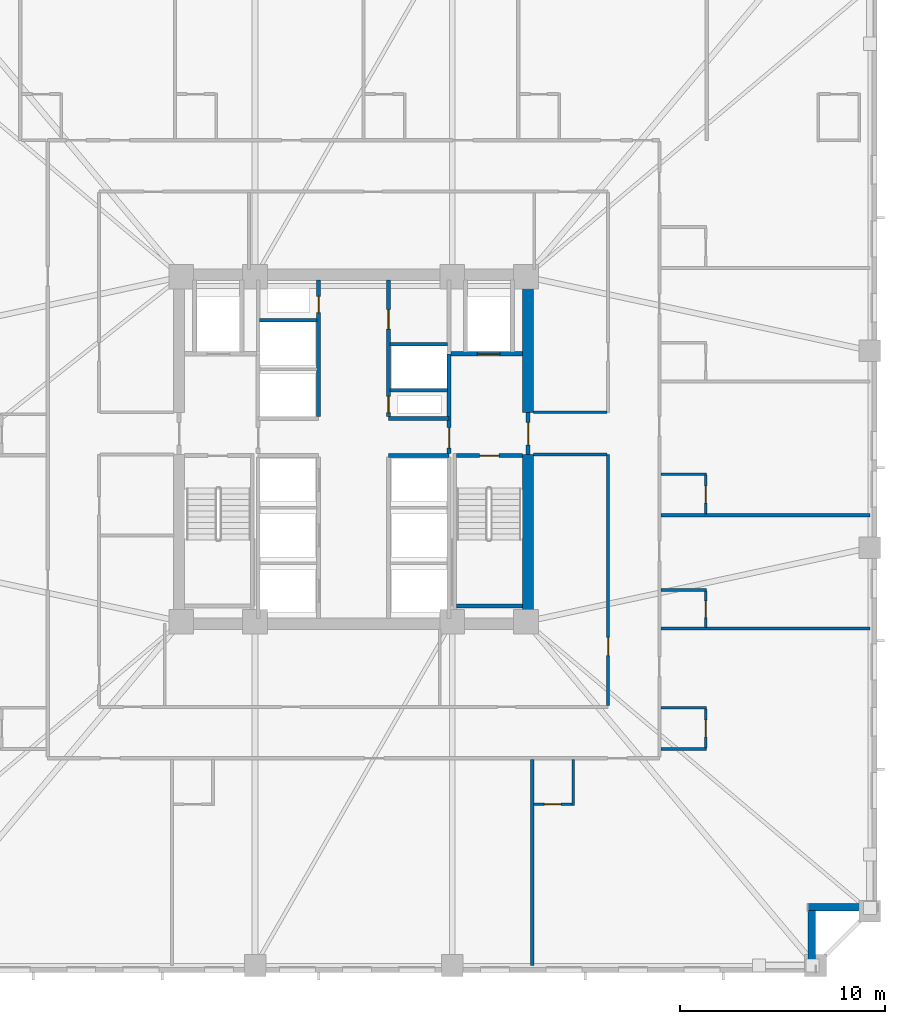
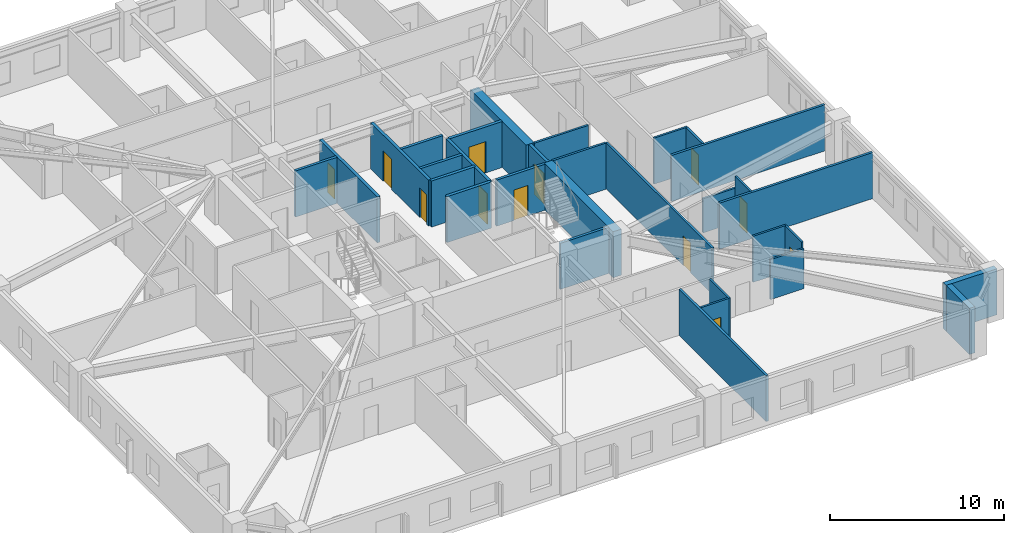
# One storey, part 4 of 11: 31 walls, 12 doors, 12 openings.
"""IFC4 building model written with IfcOpenShell, lengths in metres."""

from ifc_helpers import new_model, si_unit, direction, frame, frame_2d, origin, place, context, subcontext, project, spatial, rectangle, extrude, material, layer, layer_set, type_object, element, fill, save


model = new_model("IFC4")

# Units and contexts
model_context = context("Model", 3, precision=1e-05, world=origin(), true_north=direction((0.0, 1.0)))
body_context = subcontext(model_context, "Body", "Model", "MODEL_VIEW")
ifc_project = project(units=[si_unit("LENGTHUNIT", "METRE"), si_unit("AREAUNIT", "SQUARE_METRE"), si_unit("VOLUMEUNIT", "CUBIC_METRE"), si_unit("PLANEANGLEUNIT", "RADIAN"), si_unit("MASSUNIT", "GRAM", prefix="KILO")], contexts=[model_context])

# Site, building, storey
site_placement = place(None, origin())
site = spatial("IfcSite", under=ifc_project, at=site_placement, CompositionType="ELEMENT")
building_placement = place(site_placement, origin())
building = spatial("IfcBuilding", under=site, at=building_placement, Name="Cairnveth Concourse Tower", CompositionType="ELEMENT")
storey_placement = place(building_placement, frame((0.0, 0.0, 93.5)))
storey = spatial("IfcBuildingStorey", under=building, at=storey_placement, Name="L25", CompositionType="ELEMENT", Elevation=93.5)

# Walls
ifc_material_1 = material(Name="Gypsum Plasterboard Partition", Category="gypsum")
ifc_layer_1 = layer(ifc_material_1, 0.159912109375)
ifc_layer_set_1 = layer_set([ifc_layer_1], Name="Gypsum Plasterboard Partition")
wall_type_1 = type_object("IfcWallType", Name="ACOUSTIC PARTY WALL 180", PredefinedType="PARTITIONING", material=ifc_layer_set_1)
wall_1_placement = place(storey_placement, frame((60.697509765625, 13.844970703125, 0.0), z_axis=(0.0, 0.0, 1.0), x_axis=(0.0, 1.0, 0.0)))
element("IfcWall", 1, at=wall_1_placement, inside=storey, type_object=wall_type_1, Name="Interior Wall IW-L25-063", PredefinedType="PARTITIONING", context=body_context, shape_type="SweptSolid", body=[
    extrude(rectangle(XDim=10.0400390625, YDim=0.159912109375, at=frame_2d((5.02001953125, 0.0))), origin(), (0.0, 0.0, 1.0), 3.239990234375),
])
for number, where, z_axis, x_axis, name in (
    (2, (66.965087890625, 30.262451171875, 0.0), (0.0, 0.0, 1.0), (1.0, 0.0, 0.0), "Interior Wall IW-L25-097"),
    (3, (66.965087890625, 35.78759765625, 0.0), (0.0, 0.0, 1.0), (1.0, 0.0, 0.0), "Interior Wall IW-L25-100"),
):
    element("IfcWall", number, at=place(storey_placement, frame(where, z_axis=z_axis, x_axis=x_axis)), inside=storey, type_object=wall_type_1, Name=name, PredefinedType="PARTITIONING", context=body_context, shape_type="SweptSolid", body=[
        extrude(rectangle(XDim=10.18994140625, YDim=0.159912109375, at=frame_2d((5.094970703125, 0.0))), origin(), (0.0, 0.0, 1.0), 3.239990234375),
    ])
ifc_material_2 = material(Name="Concrete N80 (80 MPa)", Category="concrete")
ifc_layer_2 = layer(ifc_material_2, 0.550048828125)
ifc_layer_set_2 = layer_set([ifc_layer_2], Name="Concrete N80 (80 MPa)")
wall_type_2 = type_object("IfcWallType", Name="CORE SHEAR WALL 550", PredefinedType="SHEAR", material=ifc_layer_set_2)
wall_2_placement = place(storey_placement, frame((60.5, 30.764892578125, 0.0), z_axis=(0.0, 0.0, 1.0), x_axis=(0.0, 1.0, 0.0)))
element("IfcWall", 4, at=wall_2_placement, inside=storey, type_object=wall_type_2, Name="Core East Shear Wall S L25", PredefinedType="SHEAR", context=body_context, shape_type="SweptSolid", body=[
    extrude(rectangle(XDim=7.985107421875, YDim=0.550048828125, at=frame_2d((3.99267578125, 0.0))), origin(), (0.0, 0.0, 1.0), 3.239990234375),
])
wall_3_placement = place(storey_placement, frame((60.5, 40.800048828125, 0.0), z_axis=(0.0, 0.0, 1.0), x_axis=(0.0, 1.0, 0.0)))
element("IfcWall", 5, at=wall_3_placement, inside=storey, type_object=wall_type_2, Name="Core East Shear Wall N L25", PredefinedType="SHEAR", context=body_context, shape_type="SweptSolid", body=[
    extrude(rectangle(XDim=6.43505859375, YDim=0.550048828125, at=frame_2d((3.217529296875, 0.0))), origin(), (0.0, 0.0, 1.0), 3.239990234375),
])
ifc_material_3 = material(Name="Concrete N50 (50 MPa)", Category="concrete")
ifc_layer_3 = layer(ifc_material_3, 0.179931640625)
ifc_layer_set_3 = layer_set([ifc_layer_3], Name="Concrete N50 (50 MPa)")
wall_type_3 = type_object("IfcWallType", Name="FIRE SHAFT WALL 180", PredefinedType="SOLIDWALL", material=ifc_layer_set_3)
wall_4_placement = place(storey_placement, frame((47.425048828125, 45.280029296875, 0.0), z_axis=(0.0, 0.0, 1.0), x_axis=(1.0, 0.0, 0.0)))
element("IfcWall", 6, at=wall_4_placement, inside=storey, type_object=wall_type_3, Name="Interior Wall IW-L25-033", PredefinedType="SOLIDWALL", context=body_context, shape_type="SweptSolid", body=[
    extrude(rectangle(XDim=2.7900390625, YDim=0.179931640625, at=frame_2d((1.39501953125, 0.0))), origin(), (0.0, 0.0, 1.0), 3.239990234375),
])
wall_5_placement = place(storey_placement, frame((53.784912109375, 41.8798828125, 0.0), z_axis=(0.0, 0.0, 1.0), x_axis=(1.0, 0.0, 0.0)))
element("IfcWall", 7, at=wall_5_placement, inside=storey, type_object=wall_type_3, Name="Interior Wall IW-L25-035", PredefinedType="SOLIDWALL", context=body_context, shape_type="SweptSolid", body=[
    extrude(rectangle(XDim=2.780029296875, YDim=0.179931640625, at=frame_2d((1.39013671875, 0.0))), origin(), (0.0, 0.0, 1.0), 3.239990234375),
])
wall_6_placement = place(storey_placement, frame((53.784912109375, 44.1201171875, 0.0), z_axis=(0.0, 0.0, 1.0), x_axis=(1.0, 0.0, 0.0)))
element("IfcWall", 8, at=wall_6_placement, inside=storey, type_object=wall_type_3, Name="Interior Wall IW-L25-036", PredefinedType="SOLIDWALL", context=body_context, shape_type="SweptSolid", body=[
    extrude(rectangle(XDim=2.7900390625, YDim=0.179931640625, at=frame_2d((1.39501953125, 0.0))), origin(), (0.0, 0.0, 1.0), 3.239990234375),
])

# Wall, opening, door
wall_7_placement = place(storey_placement, frame((57.0048828125, 38.68994140625, 0.0), z_axis=(0.0, 0.0, 1.0), x_axis=(1.0, 0.0, 0.0)))
wall_7 = element("IfcWall", 9, at=wall_7_placement, inside=storey, type_object=wall_type_3, Name="Stair ST-2 Shaft Wall NEAR L25", PredefinedType="SOLIDWALL", context=body_context, shape_type="SweptSolid", body=[
    extrude(rectangle(XDim=3.230224609375, YDim=0.179931640625, at=frame_2d((1.615234375, 0.0))), origin(), (0.0, 0.0, 1.0), 3.239990234375),
])
opening_1_placement = place(wall_7_placement, frame((1.139892578125, 0.0, 0.0)))
opening_1 = element("IfcOpeningElement", 10, at=opening_1_placement, cuts=wall_7, Name="Opening ID12", PredefinedType="OPENING", context=body_context, shape_type="SweptSolid", body=[
    extrude(rectangle(XDim=0.949951171875, YDim=2.14990234375, at=frame_2d((0.47509765625, 1.074951171875))), frame((0.0, 0.099853515625, 0.0), z_axis=(0.0, -1.0, 0.0), x_axis=(1.0, 0.0, 0.0)), (0.0, 0.0, 1.0), 0.199951171875),
])
ifc_material_4 = material(Name="Steel Grade 350", Category="steel")
door_type_1 = type_object("IfcDoorType", Name="FIRE STAIR DOOR 950X2150", OperationType="NOTDEFINED", PredefinedType="DOOR", material=ifc_material_4)
door_1_placement = place(opening_1_placement, origin())
door_1 = element("IfcDoor", 11, at=door_1_placement, inside=storey, type_object=door_type_1, Name="Stair ST-2 Fire Door L25", OperationType="SINGLE_SWING_RIGHT", OverallHeight=2.14990234375, OverallWidth=0.949951171875, PredefinedType="DOOR", context=body_context, shape_type="SweptSolid", body=[
    extrude(rectangle(XDim=0.949951171875, YDim=2.14990234375, at=frame_2d((0.47509765625, 1.074951171875))), frame((0.0, 0.02490234375, 0.0), z_axis=(0.0, -1.0, 0.0), x_axis=(1.0, 0.0, 0.0)), (0.0, 0.0, 1.0), 0.050048828125),
])
fill(opening_1, door_1)

# Walls
wall_8_placement = place(storey_placement, frame((57.0048828125, 31.360107421875, 0.0), z_axis=(0.0, 0.0, 1.0), x_axis=(1.0, 0.0, 0.0)))
element("IfcWall", 12, at=wall_8_placement, inside=storey, type_object=wall_type_3, Name="Stair ST-2 Shaft Wall FAR L25", PredefinedType="SOLIDWALL", context=body_context, shape_type="SweptSolid", body=[
    extrude(rectangle(XDim=3.230224609375, YDim=0.179931640625, at=frame_2d((1.615234375, 0.0))), origin(), (0.0, 0.0, 1.0), 3.239990234375),
])
ifc_layer_4 = layer(ifc_material_3, 0.199951171875)
ifc_layer_set_4 = layer_set([ifc_layer_4], Name="Concrete N50 (50 MPa)")
wall_type_4 = type_object("IfcWallType", Name="FIRE SHAFT WALL 200", PredefinedType="SOLIDWALL", material=ifc_layer_set_4)
for number, where, z_axis, x_axis, name in (
    (13, (53.699951171875, 38.699951171875, 0.0), (0.0, 0.0, 1.0), (1.0, 0.0, 0.0), "Interior Wall IW-L25-009"),
    (14, (53.699951171875, 40.5, 0.0), (0.0, 0.0, 1.0), (1.0, 0.0, 0.0), "Interior Wall IW-L25-010"),
):
    element("IfcWall", number, at=place(storey_placement, frame(where, z_axis=z_axis, x_axis=x_axis)), inside=storey, type_object=wall_type_4, Name=name, PredefinedType="SOLIDWALL", context=body_context, shape_type="SweptSolid", body=[
        extrude(rectangle(XDim=2.949951171875, YDim=0.199951171875, at=frame_2d((1.47509765625, 0.0))), origin(), (0.0, 0.0, 1.0), 3.239990234375),
    ])

# Wall, opening, door
wall_9_placement = place(storey_placement, frame((50.300048828125, 40.5849609375, 0.0), z_axis=(0.0, 0.0, 1.0), x_axis=(0.0, 1.0, 0.0)))
wall_9 = element("IfcWall", 15, at=wall_9_placement, inside=storey, type_object=wall_type_4, Name="Interior Wall IW-L25-013", PredefinedType="SOLIDWALL", context=body_context, shape_type="SweptSolid", body=[
    extrude(rectangle(XDim=6.655029296875, YDim=0.199951171875, at=frame_2d((3.32763671875, 0.0))), origin(), (0.0, 0.0, 1.0), 3.239990234375),
])
opening_2_placement = place(wall_9_placement, frame((5.06494140625, 0.0, 0.0)))
opening_2 = element("IfcOpeningElement", 16, at=opening_2_placement, cuts=wall_9, Name="Opening ID24", PredefinedType="OPENING", context=body_context, shape_type="SweptSolid", body=[
    extrude(rectangle(XDim=0.800048828125, YDim=2.080078125, at=frame_2d((0.39990234375, 1.0400390625))), frame((0.0, 0.10986328125, 0.0), z_axis=(0.0, -1.0, 0.0), x_axis=(1.0, 0.0, 0.0)), (0.0, 0.0, 1.0), 0.219970703125),
])
door_type_2 = type_object("IfcDoorType", Name="RISER ACCESS DOOR 800X2100", OperationType="NOTDEFINED", PredefinedType="DOOR", material=ifc_material_4)
door_2_placement = place(opening_2_placement, origin())
door_2 = element("IfcDoor", 17, at=door_2_placement, inside=storey, type_object=door_type_2, Name="NW Electrical Riser Access Door L25", OperationType="SINGLE_SWING_RIGHT", OverallHeight=2.080078125, OverallWidth=0.800048828125, PredefinedType="DOOR", context=body_context, shape_type="SweptSolid", body=[
    extrude(rectangle(XDim=0.800048828125, YDim=2.080078125, at=frame_2d((0.39990234375, 1.0400390625))), frame((0.0, 0.02490234375, 0.0), z_axis=(0.0, -1.0, 0.0), x_axis=(1.0, 0.0, 0.0)), (0.0, 0.0, 1.0), 0.050048828125),
])
fill(opening_2, door_2)

# Wall, openings, doors
wall_10_placement = place(storey_placement, frame((53.699951171875, 40.5849609375, 0.0), z_axis=(0.0, 0.0, 1.0), x_axis=(0.0, 1.0, 0.0)))
wall_10 = element("IfcWall", 18, at=wall_10_placement, inside=storey, type_object=wall_type_4, Name="Interior Wall IW-L25-014", PredefinedType="SOLIDWALL", context=body_context, shape_type="SweptSolid", body=[
    extrude(rectangle(XDim=6.655029296875, YDim=0.199951171875, at=frame_2d((3.32763671875, 0.0))), origin(), (0.0, 0.0, 1.0), 3.239990234375),
])
opening_3_placement = place(wall_10_placement, frame((0.195068359375, 0.0, 0.0)))
opening_3 = element("IfcOpeningElement", 19, at=opening_3_placement, cuts=wall_10, Name="Opening ID24", PredefinedType="OPENING", context=body_context, shape_type="SweptSolid", body=[
    extrude(rectangle(XDim=0.800048828125, YDim=2.080078125, at=frame_2d((0.39990234375, 1.0400390625))), frame((0.0, 0.10986328125, 0.0), z_axis=(0.0, -1.0, 0.0), x_axis=(1.0, 0.0, 0.0)), (0.0, 0.0, 1.0), 0.219970703125),
])
opening_4_placement = place(wall_10_placement, frame((4.264892578125, 0.0, 0.0)))
opening_4 = element("IfcOpeningElement", 20, at=opening_4_placement, cuts=wall_10, Name="Opening ID25", PredefinedType="OPENING", context=body_context, shape_type="SweptSolid", body=[
    extrude(rectangle(XDim=0.949951171875, YDim=2.1201171875, at=frame_2d((0.47509765625, 1.06005859375))), frame((0.0, 0.10986328125, 0.0), z_axis=(0.0, -1.0, 0.0), x_axis=(1.0, 0.0, 0.0)), (0.0, 0.0, 1.0), 0.219970703125),
])
door_type_3 = type_object("IfcDoorType", Name="CORE ACCESSIBLE FIRE DOOR 950X2120", OperationType="NOTDEFINED", PredefinedType="DOOR", material=ifc_material_4)
door_3_placement = place(opening_4_placement, origin())
door_3 = element("IfcDoor", 21, at=door_3_placement, inside=storey, type_object=door_type_3, Name="Core NE Accessible WC Door L25", OperationType="SINGLE_SWING_RIGHT", OverallHeight=2.1201171875, OverallWidth=0.949951171875, PredefinedType="DOOR", context=body_context, shape_type="SweptSolid", body=[
    extrude(rectangle(XDim=0.949951171875, YDim=2.1201171875, at=frame_2d((0.47509765625, 1.06005859375))), frame((0.0, 0.02490234375, 0.0), z_axis=(0.0, -1.0, 0.0), x_axis=(1.0, 0.0, 0.0)), (0.0, 0.0, 1.0), 0.050048828125),
])
fill(opening_4, door_3)
door_4_placement = place(opening_3_placement, origin())
door_4 = element("IfcDoor", 22, at=door_4_placement, inside=storey, type_object=door_type_2, Name="Hydraulic Riser Door L25", OperationType="SINGLE_SWING_LEFT", OverallHeight=2.080078125, OverallWidth=0.800048828125, PredefinedType="DOOR", context=body_context, shape_type="SweptSolid", body=[
    extrude(rectangle(XDim=0.800048828125, YDim=2.080078125, at=frame_2d((0.39990234375, 1.0400390625))), frame((0.0, 0.02490234375, 0.0), z_axis=(0.0, -1.0, 0.0), x_axis=(1.0, 0.0, 0.0)), (0.0, 0.0, 1.0), 0.050048828125),
])
fill(opening_3, door_4)

# Wall, opening, door
wall_11_placement = place(storey_placement, frame((60.5, 38.75, 0.0), z_axis=(0.0, 0.0, 1.0), x_axis=(0.0, 1.0, 0.0)))
wall_11 = element("IfcWall", 23, at=wall_11_placement, inside=storey, type_object=wall_type_4, Name="Interior Wall IW-L25-020", PredefinedType="SOLIDWALL", context=body_context, shape_type="SweptSolid", body=[
    extrude(rectangle(XDim=2.050048828125, YDim=0.199951171875, at=frame_2d((1.02490234375, 0.0))), origin(), (0.0, 0.0, 1.0), 3.239990234375),
])
opening_5_placement = place(wall_11_placement, frame((0.449951171875, 0.0, 0.0)))
opening_5 = element("IfcOpeningElement", 24, at=opening_5_placement, cuts=wall_11, Name="Opening ID06", PredefinedType="OPENING", context=body_context, shape_type="SweptSolid", body=[
    extrude(rectangle(XDim=1.10009765625, YDim=2.14990234375, at=frame_2d((0.550048828125, 1.074951171875))), frame((0.0, 0.10986328125, 0.0), z_axis=(0.0, -1.0, 0.0), x_axis=(1.0, 0.0, 0.0)), (0.0, 0.0, 1.0), 0.219970703125),
])
door_type_4 = type_object("IfcDoorType", Name="FIRE CORRIDOR DOOR 1100X2150", OperationType="NOTDEFINED", PredefinedType="DOOR", material=ifc_material_4)
door_5_placement = place(opening_5_placement, origin())
door_5 = element("IfcDoor", 25, at=door_5_placement, inside=storey, type_object=door_type_4, Name="East Wing to FF Lobby Door L25", OperationType="SINGLE_SWING_RIGHT", OverallHeight=2.14990234375, OverallWidth=1.10009765625, PredefinedType="DOOR", context=body_context, shape_type="SweptSolid", body=[
    extrude(rectangle(XDim=1.10009765625, YDim=2.14990234375, at=frame_2d((0.550048828125, 1.074951171875))), frame((0.0, 0.02490234375, 0.0), z_axis=(0.0, -1.0, 0.0), x_axis=(1.0, 0.0, 0.0)), (0.0, 0.0, 1.0), 0.050048828125),
])
fill(opening_5, door_5)

wall_12_placement = place(storey_placement, frame((56.64990234375, 38.784912109375, 0.0), z_axis=(0.0, 0.0, 1.0), x_axis=(0.0, 1.0, 0.0)))
wall_12 = element("IfcWall", 26, at=wall_12_placement, inside=storey, type_object=wall_type_4, Name="Interior Wall IW-L25-021", PredefinedType="SOLIDWALL", context=body_context, shape_type="SweptSolid", body=[
    extrude(rectangle(XDim=4.864990234375, YDim=0.199951171875, at=frame_2d((2.4326171875, 0.0))), origin(), (0.0, 0.0, 1.0), 3.239990234375),
])
opening_6_placement = place(wall_12_placement, frame((0.264892578125, 0.0, 0.0)))
opening_6 = element("IfcOpeningElement", 27, at=opening_6_placement, cuts=wall_12, Name="Opening ID07", PredefinedType="OPENING", context=body_context, shape_type="SweptSolid", body=[
    extrude(rectangle(XDim=1.0, YDim=2.14990234375, at=frame_2d((0.5, 1.074951171875))), frame((0.0, 0.10986328125, 0.0), z_axis=(0.0, -1.0, 0.0), x_axis=(1.0, 0.0, 0.0)), (0.0, 0.0, 1.0), 0.219970703125),
])
door_type_5 = type_object("IfcDoorType", Name="FIRE CORRIDOR DOOR 1000X2150", OperationType="NOTDEFINED", PredefinedType="DOOR", material=ifc_material_4)
door_6_placement = place(opening_6_placement, origin())
door_6 = element("IfcDoor", 28, at=door_6_placement, inside=storey, type_object=door_type_5, Name="FF Lobby East to Lift Lobby Door L25", OperationType="SINGLE_SWING_LEFT", OverallHeight=2.14990234375, OverallWidth=1.0, PredefinedType="DOOR", context=body_context, shape_type="SweptSolid", body=[
    extrude(rectangle(XDim=1.0, YDim=2.14990234375, at=frame_2d((0.5, 1.074951171875))), frame((0.0, 0.02490234375, 0.0), z_axis=(0.0, -1.0, 0.0), x_axis=(1.0, 0.0, 0.0)), (0.0, 0.0, 1.0), 0.050048828125),
])
fill(opening_6, door_6)

wall_13_placement = place(storey_placement, frame((56.735107421875, 43.64990234375, 0.0), z_axis=(0.0, 0.0, 1.0), x_axis=(1.0, 0.0, 0.0)))
wall_13 = element("IfcWall", 29, at=wall_13_placement, inside=storey, type_object=wall_type_4, Name="Interior Wall IW-L25-022", PredefinedType="SOLIDWALL", context=body_context, shape_type="SweptSolid", body=[
    extrude(rectangle(XDim=3.5048828125, YDim=0.199951171875, at=frame_2d((1.75244140625, 0.0))), origin(), (0.0, 0.0, 1.0), 3.239990234375),
])
opening_7_placement = place(wall_13_placement, frame((1.294921875, 0.0, 0.0)))
opening_7 = element("IfcOpeningElement", 30, at=opening_7_placement, cuts=wall_13, Name="Opening LD-1", PredefinedType="OPENING", context=body_context, shape_type="SweptSolid", body=[
    extrude(rectangle(XDim=1.10009765625, YDim=2.199951171875, at=frame_2d((0.550048828125, 1.10009765625))), frame((0.0, 0.10986328125, 0.0), z_axis=(0.0, -1.0, 0.0), x_axis=(1.0, 0.0, 0.0)), (0.0, 0.0, 1.0), 0.219970703125),
])
ifc_material_5 = material(Name="Architectural Bronze Anodised Aluminium 6063-T6", Category="aluminium")
door_type_6 = type_object("IfcDoorType", Name="LIFT LANDING DOOR 1100X2200", OperationType="SLIDING_TO_LEFT", PredefinedType="DOOR", material=ifc_material_5)
door_7_placement = place(opening_7_placement, origin())
door_7 = element("IfcDoor", 31, at=door_7_placement, inside=storey, type_object=door_type_6, Name="Lift FFL2 Landing Door L25", OperationType="SLIDING_TO_LEFT", OverallHeight=2.199951171875, OverallWidth=1.10009765625, PredefinedType="DOOR", context=body_context, shape_type="SweptSolid", body=[
    extrude(rectangle(XDim=1.10009765625, YDim=2.199951171875, at=frame_2d((0.550048828125, 1.10009765625))), frame((0.0, 0.02490234375, 0.0), z_axis=(0.0, -1.0, 0.0), x_axis=(1.0, 0.0, 0.0)), (0.0, 0.0, 1.0), 0.050048828125),
])
fill(opening_7, door_7)

ifc_layer_5 = layer(ifc_material_1, 0.139892578125)
ifc_layer_set_5 = layer_set([ifc_layer_5], Name="Gypsum Plasterboard Partition")
wall_type_5 = type_object("IfcWallType", Name="GYPSUM STUD PARTITION 140", PredefinedType="PARTITIONING", material=ifc_layer_set_5)
wall_14_placement = place(storey_placement, frame((64.39990234375, 26.5048828125, 0.0), z_axis=(0.0, 0.0, 1.0), x_axis=(0.0, 1.0, 0.0)))
wall_14 = element("IfcWall", 32, at=wall_14_placement, inside=storey, type_object=wall_type_5, Name="Interior Wall IW-L25-047", PredefinedType="PARTITIONING", context=body_context, shape_type="SweptSolid", body=[
    extrude(rectangle(XDim=12.2451171875, YDim=0.139892578125, at=frame_2d((6.12255859375, 0.0))), origin(), (0.0, 0.0, 1.0), 3.239990234375),
])
opening_8_placement = place(wall_14_placement, frame((2.445068359375, 0.0, 0.0)))
opening_8 = element("IfcOpeningElement", 33, at=opening_8_placement, cuts=wall_14, Name="Opening ID18", PredefinedType="OPENING", context=body_context, shape_type="SweptSolid", body=[
    extrude(rectangle(XDim=0.8798828125, YDim=2.10009765625, at=frame_2d((0.43994140625, 1.050048828125))), frame((0.0, 0.079833984375, 0.0), z_axis=(0.0, -1.0, 0.0), x_axis=(1.0, 0.0, 0.0)), (0.0, 0.0, 1.0), 0.159912109375),
])
ifc_material_6 = material(Name="Solid Core Hardwood Timber Leaf", Category="wood")
door_type_7 = type_object("IfcDoorType", Name="INTERIOR SINGLE DOOR 880X2100", OperationType="NOTDEFINED", PredefinedType="DOOR", material=ifc_material_6)
door_8_placement = place(opening_8_placement, origin())
door_8 = element("IfcDoor", 34, at=door_8_placement, inside=storey, type_object=door_type_7, Name="Interior Door DR-L25-022", OperationType="SINGLE_SWING_RIGHT", OverallHeight=2.10009765625, OverallWidth=0.8798828125, PredefinedType="DOOR", context=body_context, shape_type="SweptSolid", body=[
    extrude(rectangle(XDim=0.8798828125, YDim=2.10009765625, at=frame_2d((0.43994140625, 1.050048828125))), frame((0.0, 0.02490234375, 0.0), z_axis=(0.0, -1.0, 0.0), x_axis=(1.0, 0.0, 0.0)), (0.0, 0.0, 1.0), 0.050048828125),
])
fill(opening_8, door_8)

# Walls
for number, where, z_axis, x_axis, name in (
    (35, (60.760009765625, 38.75, 0.0), (0.0, 0.0, 1.0), (1.0, 0.0, 0.0), "Interior Wall IW-L25-049"),
    (36, (60.760009765625, 40.800048828125, 0.0), (0.0, 0.0, 1.0), (1.0, 0.0, 0.0), "Interior Wall IW-L25-050"),
):
    element("IfcWall", number, at=place(storey_placement, frame(where, z_axis=z_axis, x_axis=x_axis)), inside=storey, type_object=wall_type_5, Name=name, PredefinedType="PARTITIONING", context=body_context, shape_type="SweptSolid", body=[
        extrude(rectangle(XDim=3.5849609375, YDim=0.139892578125, at=frame_2d((1.79248046875, 0.0))), origin(), (0.0, 0.0, 1.0), 3.239990234375),
    ])
ifc_layer_6 = layer(ifc_material_1, 0.1298828125)
ifc_layer_set_6 = layer_set([ifc_layer_6], Name="Gypsum Plasterboard Partition")
wall_type_6 = type_object("IfcWallType", Name="WET AREA PARTITION 140", PredefinedType="PLUMBINGWALL", material=ifc_layer_set_6)
wall_15_placement = place(storey_placement, frame((62.697509765625, 21.64990234375, 0.0), z_axis=(0.0, 0.0, 1.0), x_axis=(0.0, 1.0, 0.0)))
element("IfcWall", 37, at=wall_15_placement, inside=storey, type_object=wall_type_6, Name="Interior Wall IW-L25-064", PredefinedType="PLUMBINGWALL", context=body_context, shape_type="SweptSolid", body=[
    extrude(rectangle(XDim=2.235107421875, YDim=0.1298828125, at=frame_2d((1.11767578125, 0.0))), origin(), (0.0, 0.0, 1.0), 3.239990234375),
])

# Wall, opening, door
wall_16_placement = place(storey_placement, frame((60.762451171875, 21.699951171875, 0.0), z_axis=(0.0, 0.0, 1.0), x_axis=(1.0, 0.0, 0.0)))
wall_16 = element("IfcWall", 38, at=wall_16_placement, inside=storey, type_object=wall_type_6, Name="Interior Wall IW-L25-065", PredefinedType="PLUMBINGWALL", context=body_context, shape_type="SweptSolid", body=[
    extrude(rectangle(XDim=1.885009765625, YDim=0.1298828125, at=frame_2d((0.9423828125, 0.0))), origin(), (0.0, 0.0, 1.0), 3.239990234375),
])
opening_9_placement = place(wall_16_placement, frame((0.52490234375, 0.0, 0.0)))
opening_9 = element("IfcOpeningElement", 39, at=opening_9_placement, cuts=wall_16, Name="Opening ID22", PredefinedType="OPENING", context=body_context, shape_type="SweptSolid", body=[
    extrude(rectangle(XDim=0.820068359375, YDim=2.10009765625, at=frame_2d((0.41015625, 1.050048828125))), frame((0.0, 0.074951171875, 0.0), z_axis=(0.0, -1.0, 0.0), x_axis=(1.0, 0.0, 0.0)), (0.0, 0.0, 1.0), 0.14990234375),
])
door_type_8 = type_object("IfcDoorType", Name="INTERIOR WC DOOR 820X2100", OperationType="NOTDEFINED", PredefinedType="DOOR", material=ifc_material_6)
door_9_placement = place(opening_9_placement, origin())
door_9 = element("IfcDoor", 40, at=door_9_placement, inside=storey, type_object=door_type_8, Name="En-Suite Door L25-S3", OperationType="SINGLE_SWING_RIGHT", OverallHeight=2.10009765625, OverallWidth=0.820068359375, PredefinedType="DOOR", context=body_context, shape_type="SweptSolid", body=[
    extrude(rectangle(XDim=0.820068359375, YDim=2.10009765625, at=frame_2d((0.41015625, 1.050048828125))), frame((0.0, 0.02490234375, 0.0), z_axis=(0.0, -1.0, 0.0), x_axis=(1.0, 0.0, 0.0)), (0.0, 0.0, 1.0), 0.050048828125),
])
fill(opening_9, door_9)

# Walls
wall_17_placement = place(storey_placement, frame((66.965087890625, 24.39990234375, 0.0), z_axis=(0.0, 0.0, 1.0), x_axis=(1.0, 0.0, 0.0)))
element("IfcWall", 41, at=wall_17_placement, inside=storey, type_object=wall_type_6, Name="Interior Wall IW-L25-094", PredefinedType="PLUMBINGWALL", context=body_context, shape_type="SweptSolid", body=[
    extrude(rectangle(XDim=2.23486328125, YDim=0.1298828125, at=frame_2d((1.117431640625, 0.0))), origin(), (0.0, 0.0, 1.0), 2.80908203125),
])
wall_18_placement = place(storey_placement, frame((66.965087890625, 26.39990234375, 0.0), z_axis=(0.0, 0.0, 1.0), x_axis=(1.0, 0.0, 0.0)))
element("IfcWall", 42, at=wall_18_placement, inside=storey, type_object=wall_type_6, Name="Interior Wall IW-L25-095", PredefinedType="PLUMBINGWALL", context=body_context, shape_type="SweptSolid", body=[
    extrude(rectangle(XDim=2.23486328125, YDim=0.1298828125, at=frame_2d((1.117431640625, 0.0))), origin(), (0.0, 0.0, 1.0), 3.239990234375),
])

# Wall, opening, door
wall_19_placement = place(storey_placement, frame((69.14990234375, 24.449951171875, 0.0), z_axis=(0.0, 0.0, 1.0), x_axis=(0.0, 1.0, 0.0)))
wall_19 = element("IfcWall", 43, at=wall_19_placement, inside=storey, type_object=wall_type_6, Name="Interior Wall IW-L25-096", PredefinedType="PLUMBINGWALL", context=body_context, shape_type="SweptSolid", body=[
    extrude(rectangle(XDim=1.900146484375, YDim=0.1298828125, at=frame_2d((0.9501953125, 0.0))), origin(), (0.0, 0.0, 1.0), 3.239990234375),
])
opening_10_placement = place(wall_19_placement, frame((0.5400390625, 0.0, 0.0)))
opening_10 = element("IfcOpeningElement", 44, at=opening_10_placement, cuts=wall_19, Name="Opening ID22", PredefinedType="OPENING", context=body_context, shape_type="SweptSolid", body=[
    extrude(rectangle(XDim=0.820068359375, YDim=2.10009765625, at=frame_2d((0.41015625, 1.050048828125))), frame((0.0, 0.074951171875, 0.0), z_axis=(0.0, -1.0, 0.0), x_axis=(1.0, 0.0, 0.0)), (0.0, 0.0, 1.0), 0.14990234375),
])
door_10_placement = place(opening_10_placement, origin())
door_10 = element("IfcDoor", 45, at=door_10_placement, inside=storey, type_object=door_type_8, Name="En-Suite Door L25-E1", OperationType="SINGLE_SWING_RIGHT", OverallHeight=2.10009765625, OverallWidth=0.820068359375, PredefinedType="DOOR", context=body_context, shape_type="SweptSolid", body=[
    extrude(rectangle(XDim=0.820068359375, YDim=2.10009765625, at=frame_2d((0.41015625, 1.050048828125))), frame((0.0, 0.02490234375, 0.0), z_axis=(0.0, -1.0, 0.0), x_axis=(1.0, 0.0, 0.0)), (0.0, 0.0, 1.0), 0.050048828125),
])
fill(opening_10, door_10)

# Wall
wall_20_placement = place(storey_placement, frame((66.965087890625, 32.14111328125, 0.0), z_axis=(0.0, 0.0, 1.0), x_axis=(1.0, 0.0, 0.0)))
element("IfcWall", 46, at=wall_20_placement, inside=storey, type_object=wall_type_6, Name="Interior Wall IW-L25-098", PredefinedType="PLUMBINGWALL", context=body_context, shape_type="SweptSolid", body=[
    extrude(rectangle(XDim=2.23486328125, YDim=0.1298828125, at=frame_2d((1.117431640625, 0.0))), origin(), (0.0, 0.0, 1.0), 2.39892578125),
])

# Wall, opening, door
wall_21_placement = place(storey_placement, frame((69.14990234375, 30.327392578125, 0.0), z_axis=(0.0, 0.0, 1.0), x_axis=(0.0, 1.0, 0.0)))
wall_21 = element("IfcWall", 47, at=wall_21_placement, inside=storey, type_object=wall_type_6, Name="Interior Wall IW-L25-099", PredefinedType="PLUMBINGWALL", context=body_context, shape_type="SweptSolid", body=[
    extrude(rectangle(XDim=1.763671875, YDim=0.1298828125, at=frame_2d((0.8818359375, 0.0))), origin(), (0.0, 0.0, 1.0), 3.239990234375),
])
opening_11_placement = place(wall_21_placement, frame((0.464111328125, 0.0, 0.0)))
opening_11 = element("IfcOpeningElement", 48, at=opening_11_placement, cuts=wall_21, Name="Opening ID22", PredefinedType="OPENING", context=body_context, shape_type="SweptSolid", body=[
    extrude(rectangle(XDim=0.820068359375, YDim=2.10009765625, at=frame_2d((0.41015625, 1.050048828125))), frame((0.0, 0.074951171875, 0.0), z_axis=(0.0, -1.0, 0.0), x_axis=(1.0, 0.0, 0.0)), (0.0, 0.0, 1.0), 0.14990234375),
])
door_11_placement = place(opening_11_placement, origin())
door_11 = element("IfcDoor", 49, at=door_11_placement, inside=storey, type_object=door_type_8, Name="En-Suite Door L25-E2", OperationType="SINGLE_SWING_RIGHT", OverallHeight=2.10009765625, OverallWidth=0.820068359375, PredefinedType="DOOR", context=body_context, shape_type="SweptSolid", body=[
    extrude(rectangle(XDim=0.820068359375, YDim=2.10009765625, at=frame_2d((0.41015625, 1.050048828125))), frame((0.0, 0.02490234375, 0.0), z_axis=(0.0, -1.0, 0.0), x_axis=(1.0, 0.0, 0.0)), (0.0, 0.0, 1.0), 0.050048828125),
])
fill(opening_11, door_11)

# Wall
wall_22_placement = place(storey_placement, frame((66.965087890625, 37.78759765625, 0.0), z_axis=(0.0, 0.0, 1.0), x_axis=(1.0, 0.0, 0.0)))
element("IfcWall", 50, at=wall_22_placement, inside=storey, type_object=wall_type_6, Name="Interior Wall IW-L25-101", PredefinedType="PLUMBINGWALL", context=body_context, shape_type="SweptSolid", body=[
    extrude(rectangle(XDim=2.23486328125, YDim=0.1298828125, at=frame_2d((1.117431640625, 0.0))), origin(), (0.0, 0.0, 1.0), 3.239990234375),
])

# Wall, opening, door
wall_23_placement = place(storey_placement, frame((69.14990234375, 35.8525390625, 0.0), z_axis=(0.0, 0.0, 1.0), x_axis=(0.0, 1.0, 0.0)))
wall_23 = element("IfcWall", 51, at=wall_23_placement, inside=storey, type_object=wall_type_6, Name="Interior Wall IW-L25-102", PredefinedType="PLUMBINGWALL", context=body_context, shape_type="SweptSolid", body=[
    extrude(rectangle(XDim=1.885009765625, YDim=0.1298828125, at=frame_2d((0.9423828125, 0.0))), origin(), (0.0, 0.0, 1.0), 3.239990234375),
])
opening_12_placement = place(wall_23_placement, frame((0.52490234375, 0.0, 0.0)))
opening_12 = element("IfcOpeningElement", 52, at=opening_12_placement, cuts=wall_23, Name="Opening ID22", PredefinedType="OPENING", context=body_context, shape_type="SweptSolid", body=[
    extrude(rectangle(XDim=0.820068359375, YDim=2.10009765625, at=frame_2d((0.41015625, 1.050048828125))), frame((0.0, 0.074951171875, 0.0), z_axis=(0.0, -1.0, 0.0), x_axis=(1.0, 0.0, 0.0)), (0.0, 0.0, 1.0), 0.14990234375),
])
door_12_placement = place(opening_12_placement, origin())
door_12 = element("IfcDoor", 53, at=door_12_placement, inside=storey, type_object=door_type_8, Name="En-Suite Door L25-E3", OperationType="SINGLE_SWING_RIGHT", OverallHeight=2.10009765625, OverallWidth=0.820068359375, PredefinedType="DOOR", context=body_context, shape_type="SweptSolid", body=[
    extrude(rectangle(XDim=0.820068359375, YDim=2.10009765625, at=frame_2d((0.41015625, 1.050048828125))), frame((0.0, 0.02490234375, 0.0), z_axis=(0.0, -1.0, 0.0), x_axis=(1.0, 0.0, 0.0)), (0.0, 0.0, 1.0), 0.050048828125),
])
fill(opening_12, door_12)

# Walls
ifc_material_7 = material(Name="Hawthorn Red-Ochre Fired Clay Brick Masonry", Category="masonry")
ifc_layer_7 = layer(ifc_material_7, 0.360107421875)
ifc_layer_set_7 = layer_set([ifc_layer_7], Name="Hawthorn Red-Ochre Fired Clay Brick Masonry")
wall_type_7 = type_object("IfcWallType", Name="ZONE 1 BRICK PIER SPANDREL WALL 360", PredefinedType="SOLIDWALL", material=ifc_layer_set_7)
wall_24_placement = place(storey_placement, frame((77.5, 16.679931640625, 0.0), z_axis=(0.0, 0.0, 1.0), x_axis=(-1.0, 0.0, 0.0)))
element("IfcWall", 54, at=wall_24_placement, inside=storey, type_object=wall_type_7, Name="Exterior Wall EW-L25-S04", PredefinedType="SOLIDWALL", context=body_context, shape_type="SweptSolid", body=[
    extrude(rectangle(XDim=3.360107421875, YDim=0.360107421875, at=frame_2d((1.68017578125, 0.0))), origin(), (0.0, 0.0, 1.0), 3.239990234375),
])
wall_25_placement = place(storey_placement, frame((74.320068359375, 16.52197265625, 0.0), z_axis=(0.0, 0.0, 1.0), x_axis=(0.0, -1.0, 0.0)))
element("IfcWall", 55, at=wall_25_placement, inside=storey, type_object=wall_type_7, Name="Exterior Wall EW-L25-S05", PredefinedType="SOLIDWALL", context=body_context, shape_type="SweptSolid", body=[
    extrude(rectangle(XDim=2.68408203125, YDim=0.360107421875, at=frame_2d((1.342041015625, 0.0))), origin(), (0.0, 0.0, 1.0), 3.239990234375),
])

save(model, "model.ifc")
